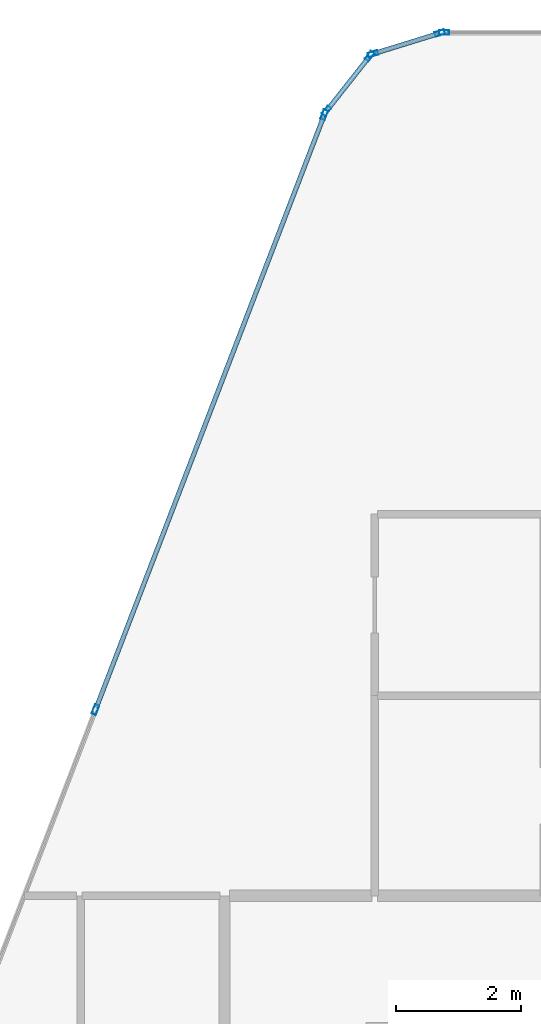
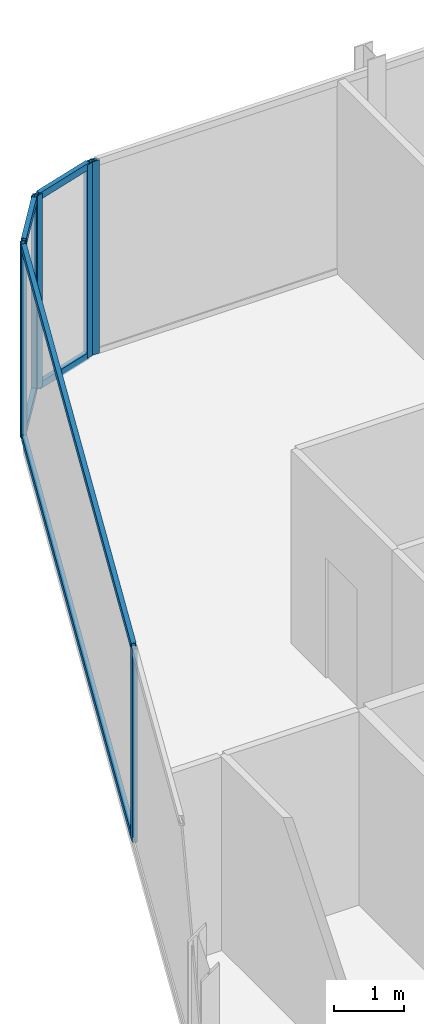
# One storey, part 17 of 31: 13 members, 4 elements without a shape of their own.
"""IFC4 building model written with IfcOpenShell, lengths in metres."""

import ifcopenshell
import ifcopenshell.guid

model = None  # the IFC model being written
_history = None  # IfcOwnerHistory: only IFC2X3 demands one
_inside = {}  # id of a spatial element -> (the spatial element, [elements in it])
_under = {}  # id of a project, library or spatial element -> (it, [spatial elements below it])
_declared = {}  # id of a project -> (the project, [libraries it declares])
_typed = {}  # id of a type object -> (the type object, [elements of that type])
_made_of = {}  # id of a material, layer set ... -> (it, [elements and type objects made of it])


def new_model(schema):
    """Start an empty IFC model of exactly this schema.

    Asked for "IFC4X3", IfcOpenShell would pick the latest addendum, in which some entities
    have other attributes; the version numbers below select the first issue.
    IFC2X3 requires an IfcOwnerHistory on every rooted entity: one is made here for all.
    """
    global model, _history
    if schema == "IFC4X3":
        model = ifcopenshell.file(schema_version=(4, 3, 0, 0))
    else:
        model = ifcopenshell.file(schema=schema)
    _inside.clear()
    _under.clear()
    _declared.clear()
    _typed.clear()
    _made_of.clear()
    _history = None
    if model.schema == "IFC2X3":
        org = make("IfcOrganization", Name="unknown")
        user = make(
            "IfcPersonAndOrganization",
            ThePerson=make("IfcPerson", FamilyName="unknown"),
            TheOrganization=org,
        )
        app = make(
            "IfcApplication",
            ApplicationDeveloper=org,
            Version="unknown",
            ApplicationFullName="unknown",
            ApplicationIdentifier="unknown",
        )
        _history = make(
            "IfcOwnerHistory",
            OwningUser=user,
            OwningApplication=app,
            ChangeAction="ADDED",
            CreationDate=0,
        )
    return model


def make(cls, **values):
    """One entity of the class cls with the attributes given. An attribute that is None is left unset."""
    return model.create_entity(
        cls, **{name: value for name, value in values.items() if value is not None}
    )


def rooted(cls, **values):
    """An entity with a GlobalId (a new one), such as an element, a storey or a relation."""
    return make(cls, GlobalId=ifcopenshell.guid.new(), OwnerHistory=_history, **values)


def si_unit(unit_type, name, prefix=None):
    """IfcSIUnit, for example si_unit("LENGTHUNIT", "METRE", prefix="MILLI")."""
    return make("IfcSIUnit", UnitType=unit_type, Prefix=prefix, Name=name)


def assignment(units):
    """IfcUnitAssignment: the units of a project."""
    return None if units is None else make("IfcUnitAssignment", Units=units)


def point(xyz):
    """IfcCartesianPoint."""
    return None if xyz is None else make("IfcCartesianPoint", Coordinates=xyz)


def direction(xyz):
    """IfcDirection."""
    return None if xyz is None else make("IfcDirection", DirectionRatios=xyz)


def frame(location, z_axis=None, x_axis=None):
    """IfcAxis2Placement3D, a coordinate frame: its origin and axes. An axis left out is left unset."""
    return make(
        "IfcAxis2Placement3D",
        Location=point(location),
        Axis=direction(z_axis),
        RefDirection=direction(x_axis),
    )


def frame_2d(location, x_axis=None):
    """IfcAxis2Placement2D, a coordinate frame in the plane: its origin and x axis."""
    return make(
        "IfcAxis2Placement2D", Location=point(location), RefDirection=direction(x_axis)
    )


def origin():
    """The frame at (0, 0, 0) with its axes left unset."""
    return frame((0.0, 0.0, 0.0))


def origin_2d():
    """The frame at (0, 0) in the plane with its x axis left unset."""
    return frame_2d((0.0, 0.0))


def place(relative_to, where):
    """IfcLocalPlacement: puts the frame where relative to a parent placement (None: the world)."""
    return make(
        "IfcLocalPlacement", PlacementRelTo=relative_to, RelativePlacement=where
    )


def context(
    kind, dimensions, precision=None, world=None, true_north=None, identifier=None
):
    """IfcGeometricRepresentationContext, for example the 3D "Model" context."""
    return make(
        "IfcGeometricRepresentationContext",
        ContextIdentifier=identifier,
        ContextType=kind,
        CoordinateSpaceDimension=dimensions,
        Precision=precision,
        WorldCoordinateSystem=world,
        TrueNorth=true_north,
    )


def subcontext(parent, identifier, kind, view, scale=None):
    """IfcGeometricRepresentationSubContext, for example "Body" below "Model"."""
    return make(
        "IfcGeometricRepresentationSubContext",
        ContextIdentifier=identifier,
        ContextType=kind,
        ParentContext=parent,
        TargetScale=scale,
        TargetView=view,
    )


def project(units=None, contexts=None):
    """IfcProject with its units and contexts."""
    return rooted(
        "IfcProject",
        Name="project",
        RepresentationContexts=contexts,
        UnitsInContext=assignment(units),
    )


def spatial(cls, under=None, at=None, **own):
    """A site, building, storey or space (cls), placed at a placement, below another one or the project."""
    s = rooted(cls, ObjectPlacement=at, **own)
    if under is not None:
        _under.setdefault(under.id(), (under, []))[1].append(s)
    return s


def profile(cls, at=None, kind="AREA", **sizes):
    """A parametric profile (cls). Its sizes go by their IFC names, for example OverallWidth=200.0."""
    return make(cls, ProfileType=kind, Position=at, **sizes)


def hollow_rectangle(**sizes):
    """IfcRectangleHollowProfileDef."""
    return profile("IfcRectangleHollowProfileDef", **sizes)


def extrude(swept, where, along, depth):
    """IfcExtrudedAreaSolid: the profile swept, set in the frame where, extruded along a direction by depth."""
    return make(
        "IfcExtrudedAreaSolid",
        SweptArea=swept,
        Position=where,
        ExtrudedDirection=direction(along),
        Depth=depth,
    )


def shape(context_of_items, identifier, shape_type, items):
    """IfcShapeRepresentation: the items that make up one representation, for example the "Body"."""
    return make(
        "IfcShapeRepresentation",
        ContextOfItems=context_of_items,
        RepresentationIdentifier=identifier,
        RepresentationType=shape_type,
        Items=items,
    )


def material(Name=None, Category=None):
    """IfcMaterial."""
    return make("IfcMaterial", Name=Name, Category=Category)


def layer(
    of_material, thickness, ventilated=None, Name=None, Category=None, Priority=None
):
    """IfcMaterialLayer: one layer of a wall or slab, of a material (None: an air gap)."""
    return make(
        "IfcMaterialLayer",
        Material=of_material,
        LayerThickness=thickness,
        IsVentilated=ventilated,
        Name=Name,
        Category=Category,
        Priority=Priority,
    )


def layer_set(layers, Name=None):
    """IfcMaterialLayerSet."""
    return make("IfcMaterialLayerSet", MaterialLayers=layers, LayerSetName=Name)


def material_profile(
    of_material, cross_section, Name=None, Category=None, Priority=None
):
    """IfcMaterialProfile: a cross section and its material."""
    return make(
        "IfcMaterialProfile",
        Name=Name,
        Material=of_material,
        Profile=cross_section,
        Priority=Priority,
        Category=Category,
    )


def profile_set(profiles, Name=None, composite=None):
    """IfcMaterialProfileSet."""
    return make(
        "IfcMaterialProfileSet",
        Name=Name,
        MaterialProfiles=profiles,
        CompositeProfile=composite,
    )


def made_of(thing, what):
    """Note that an element or type object is made of a material, layer set ...; save() writes the relation."""
    if what is not None:
        _made_of.setdefault(what.id(), (what, []))[1].append(thing)
    return thing


def type_object(cls, material=None, **own):
    """A type object (cls), such as IfcWallType, which elements share."""
    return made_of(rooted(cls, **own), material)


def element(
    cls,
    number,
    at=None,
    inside=None,
    cuts=None,
    type_object=None,
    material=None,
    context=None,
    identifier="Body",
    shape_type=None,
    held_by="IfcProductDefinitionShape",
    body=None,
    shapes=None,
    **own,
):
    """One element of the class cls, such as IfcWall. Its Tag is "e" and its number.

    at: its placement. inside: the storey or other place that contains it. cuts: it is an
    opening in that element (IfcRelVoidsElement). A single representation is given by context,
    identifier, shape_type and body (its items); several are given by shapes. held_by: the class
    of the entity that holds the representations. save() writes the other relations.
    """
    e = rooted(cls, Tag="e%d" % number, ObjectPlacement=at, **own)
    if body is not None:
        shapes = [shape(context, identifier, shape_type, body)]
    if shapes is not None:
        e.Representation = make(held_by, Representations=shapes)
    if inside is not None:
        _inside.setdefault(inside.id(), (inside, []))[1].append(e)
    if cuts is not None:
        rooted(
            "IfcRelVoidsElement", RelatingBuildingElement=cuts, RelatedOpeningElement=e
        )
    if type_object is not None:
        _typed.setdefault(type_object.id(), (type_object, []))[1].append(e)
    return made_of(e, material)


def aggregate(whole, parts):
    """IfcRelAggregates: a whole, such as a stair, and the parts it consists of."""
    return rooted("IfcRelAggregates", RelatingObject=whole, RelatedObjects=parts)


def save(model, path):
    """Write the relations noted so far, then the file.

    IfcRelAggregates (storeys below a building ...), IfcRelContainedInSpatialStructure (elements
    in a storey), IfcRelDefinesByType, IfcRelAssociatesMaterial and IfcRelDeclares: one each for
    every whole, place, type object, material and project.
    """
    for whole, parts in _under.values():
        aggregate(whole, parts)
    for where, things in _inside.values():
        rooted(
            "IfcRelContainedInSpatialStructure",
            RelatedElements=things,
            RelatingStructure=where,
        )
    for kind, things in _typed.values():
        rooted("IfcRelDefinesByType", RelatedObjects=things, RelatingType=kind)
    for what, things in _made_of.values():
        rooted("IfcRelAssociatesMaterial", RelatedObjects=things, RelatingMaterial=what)
    for by, libraries in _declared.values():
        rooted("IfcRelDeclares", RelatingContext=by, RelatedDefinitions=libraries)
    model.write(path)


model = new_model("IFC4")

# Units and contexts
model_context = context("Model", 3, precision=1e-05, world=origin(), true_north=direction((0.0, 1.0)))
body_context = subcontext(model_context, "Body", "Model", "MODEL_VIEW")
ifc_project = project(units=[si_unit("LENGTHUNIT", "METRE"), si_unit("AREAUNIT", "SQUARE_METRE"), si_unit("VOLUMEUNIT", "CUBIC_METRE"), si_unit("PLANEANGLEUNIT", "RADIAN"), si_unit("MASSUNIT", "GRAM", prefix="KILO")], contexts=[model_context])

# Site, building, storey
site_placement = place(None, origin())
site = spatial("IfcSite", under=ifc_project, at=site_placement, CompositionType="ELEMENT")
building_placement = place(site_placement, origin())
building = spatial("IfcBuilding", under=site, at=building_placement, Name="Keshet Zoharim Tower", CompositionType="ELEMENT")
storey_placement = place(building_placement, frame((0.0, 0.0, 276.89990234375)))
storey = spatial("IfcBuildingStorey", under=building, at=storey_placement, Name="L69", CompositionType="ELEMENT", Elevation=276.89990234375)

# Curtain wall, members
ifc_material = material(Name="Aluminium 6063-T6", Category="aluminium")
ifc_layer = layer(ifc_material, 0.260009765625)
ifc_layer_set = layer_set([ifc_layer], Name="Aluminium 6063-T6")
curtain_wall_type = type_object("IfcCurtainWallType", Name="CW-SYS-06", PredefinedType="NOTDEFINED", material=ifc_layer_set)
curtain_wall_1_placement = place(storey_placement, origin())
curtain_wall_1 = element("IfcCurtainWall", 1, at=curtain_wall_1_placement, inside=storey, type_object=curtain_wall_type, Name="L69 Unitised Curtain Wall 03", PredefinedType="NOTDEFINED")
ifc_material_profile_1 = material_profile(ifc_material, hollow_rectangle(XDim=0.074951171875, YDim=0.159912109375, WallThickness=0.00390625, at=origin_2d()), Name="MUL-75x160")
ifc_profile_set_1 = profile_set([ifc_material_profile_1], Name="Aluminium 6063-T6")
member_type_1 = type_object("IfcMemberType", Name="CWM-M15", PredefinedType="MULLION", material=ifc_profile_set_1)
member_1_placement = place(storey_placement, frame((10.8369140625, 43.076416015625, 0.0), z_axis=(0.0, 0.0, 1.0), x_axis=(-0.933341404361, 0.358990003907, 0.0)))
member_1 = element("IfcMember", 2, at=member_1_placement, type_object=member_type_1, Name="CW-06 mullion 3", PredefinedType="MULLION", context=body_context, shape_type="SweptSolid", body=[
    extrude(hollow_rectangle(XDim=0.074951171875, YDim=0.159912109375, WallThickness=0.00390625, at=origin_2d()), origin(), (0.0, 0.0, 1.0), 3.39013671875),
])
member_2_placement = place(storey_placement, frame((14.494384765625, 52.58544921875, 0.0), z_axis=(0.0, 0.0, 1.0), x_axis=(-0.933341404361, 0.358990003907, 0.0)))
member_2 = element("IfcMember", 3, at=member_2_placement, type_object=member_type_1, Name="CW-06 mullion 4", PredefinedType="MULLION", context=body_context, shape_type="SweptSolid", body=[
    extrude(hollow_rectangle(XDim=0.074951171875, YDim=0.159912109375, WallThickness=0.00390625, at=origin_2d()), origin(), (0.0, 0.0, 1.0), 3.39013671875),
])

curtain_wall_2_placement = place(storey_placement, origin())
curtain_wall_2 = element("IfcCurtainWall", 4, at=curtain_wall_2_placement, inside=storey, type_object=curtain_wall_type, Name="L69 Unitised Curtain Wall 04", PredefinedType="NOTDEFINED")
member_3_placement = place(storey_placement, frame((14.528564453125, 52.6455078125, 0.0), z_axis=(0.0, 0.0, 1.0), x_axis=(-0.785292825205, 0.619124525989, 0.0)))
member_3 = element("IfcMember", 5, at=member_3_placement, type_object=member_type_1, Name="CW-06 mullion 1", PredefinedType="MULLION", context=body_context, shape_type="SweptSolid", body=[
    extrude(hollow_rectangle(XDim=0.074951171875, YDim=0.159912109375, WallThickness=0.00390625, at=origin_2d()), origin(), (0.0, 0.0, 1.0), 3.39013671875),
])
member_4_placement = place(storey_placement, frame((15.21923828125, 53.521484375, 0.0), z_axis=(0.0, 0.0, 1.0), x_axis=(-0.785292825205, 0.619124525989, 0.0)))
member_4 = element("IfcMember", 6, at=member_4_placement, type_object=member_type_1, Name="CW-06 mullion 2", PredefinedType="MULLION", context=body_context, shape_type="SweptSolid", body=[
    extrude(hollow_rectangle(XDim=0.074951171875, YDim=0.159912109375, WallThickness=0.00390625, at=origin_2d()), origin(), (0.0, 0.0, 1.0), 3.39013671875),
])

curtain_wall_3_placement = place(storey_placement, origin())
curtain_wall_3 = element("IfcCurtainWall", 7, at=curtain_wall_3_placement, inside=storey, type_object=curtain_wall_type, Name="L69 Unitised Curtain Wall 05", PredefinedType="NOTDEFINED")
member_5_placement = place(storey_placement, frame((15.2744140625, 53.559326171875, 0.0), z_axis=(0.0, 0.0, 1.0), x_axis=(-0.295921857984, 0.955212151288, 0.0)))
member_5 = element("IfcMember", 8, at=member_5_placement, type_object=member_type_1, Name="CW-06 mullion 1", PredefinedType="MULLION", context=body_context, shape_type="SweptSolid", body=[
    extrude(hollow_rectangle(XDim=0.074951171875, YDim=0.159912109375, WallThickness=0.00390625, at=origin_2d()), origin(), (0.0, 0.0, 1.0), 3.39013671875),
])
member_6_placement = place(storey_placement, frame((16.340576171875, 53.8896484375, 0.0), z_axis=(0.0, 0.0, 1.0), x_axis=(-0.295921857984, 0.955212151288, 0.0)))
member_6 = element("IfcMember", 9, at=member_6_placement, type_object=member_type_1, Name="CW-06 mullion 2", PredefinedType="MULLION", context=body_context, shape_type="SweptSolid", body=[
    extrude(hollow_rectangle(XDim=0.074951171875, YDim=0.159912109375, WallThickness=0.00390625, at=origin_2d()), origin(), (0.0, 0.0, 1.0), 3.39013671875),
])

# Curtain wall, member
curtain_wall_4_placement = place(storey_placement, origin())
curtain_wall_4 = element("IfcCurtainWall", 10, at=curtain_wall_4_placement, inside=storey, type_object=curtain_wall_type, Name="L69 Unitised Curtain Wall 06", PredefinedType="NOTDEFINED")
member_7_placement = place(storey_placement, frame((16.408935546875, 53.89990234375, 0.0), z_axis=(0.0, 0.0, 1.0), x_axis=(0.0, 1.0, 0.0)))
member_7 = element("IfcMember", 11, at=member_7_placement, type_object=member_type_1, Name="CW-06 mullion 1", PredefinedType="MULLION", context=body_context, shape_type="SweptSolid", body=[
    extrude(hollow_rectangle(XDim=0.074951171875, YDim=0.159912109375, WallThickness=0.00390625, at=origin_2d()), origin(), (0.0, 0.0, 1.0), 3.39013671875),
])
aggregate(curtain_wall_4, [member_7])

# Member
ifc_material_profile_2 = material_profile(ifc_material, hollow_rectangle(XDim=0.074951171875, YDim=0.1201171875, WallThickness=0.00390625, at=origin_2d()), Name="TRN-75x120")
ifc_profile_set_2 = profile_set([ifc_material_profile_2], Name="Aluminium 6063-T6")
member_type_2 = type_object("IfcMemberType", Name="CWT-T12", PredefinedType="USERDEFINED", material=ifc_profile_set_2)
member_8_placement = place(storey_placement, frame((10.849609375, 43.10888671875, 0.03515625), z_axis=(0.358985546764, 0.933343118694, 0.0), x_axis=(-0.933343118694, 0.358985546764, 0.0)))
member_8 = element("IfcMember", 12, at=member_8_placement, type_object=member_type_2, Name="CW-06 transom 3.1", ObjectType="TRANSOM", PredefinedType="USERDEFINED", context=body_context, shape_type="SweptSolid", body=[
    extrude(hollow_rectangle(XDim=0.074951171875, YDim=0.1201171875, WallThickness=0.00390625, at=origin_2d()), origin(), (0.0, 0.0, 1.0), 10.118408203125),
])

member_9_placement = place(storey_placement, frame((10.849609375, 43.10888671875, 3.35498046875), z_axis=(0.358985546764, 0.933343118694, 0.0), x_axis=(-0.933343118694, 0.358985546764, 0.0)))
member_9 = element("IfcMember", 13, at=member_9_placement, type_object=member_type_2, Name="CW-06 transom 3.2", ObjectType="TRANSOM", PredefinedType="USERDEFINED", context=body_context, shape_type="SweptSolid", body=[
    extrude(hollow_rectangle(XDim=0.074951171875, YDim=0.1201171875, WallThickness=0.00390625, at=origin_2d()), origin(), (0.0, 0.0, 1.0), 10.118408203125),
])

aggregate(curtain_wall_1, [member_1, member_2, member_8, member_9])

member_10_placement = place(storey_placement, frame((14.55029296875, 52.6728515625, 0.03515625), z_axis=(0.619099165969, 0.78531281837, 0.0), x_axis=(-0.78531281837, 0.619099165969, 0.0)))
member_10 = element("IfcMember", 14, at=member_10_placement, type_object=member_type_2, Name="CW-06 transom 1.1", ObjectType="TRANSOM", PredefinedType="USERDEFINED", context=body_context, shape_type="SweptSolid", body=[
    extrude(hollow_rectangle(XDim=0.074951171875, YDim=0.1201171875, WallThickness=0.00390625, at=origin_2d()), origin(), (0.0, 0.0, 1.0), 1.0458984375),
])

member_11_placement = place(storey_placement, frame((14.55029296875, 52.6728515625, 3.35498046875), z_axis=(0.619099165969, 0.78531281837, 0.0), x_axis=(-0.78531281837, 0.619099165969, 0.0)))
member_11 = element("IfcMember", 15, at=member_11_placement, type_object=member_type_2, Name="CW-06 transom 1.2", ObjectType="TRANSOM", PredefinedType="USERDEFINED", context=body_context, shape_type="SweptSolid", body=[
    extrude(hollow_rectangle(XDim=0.074951171875, YDim=0.1201171875, WallThickness=0.00390625, at=origin_2d()), origin(), (0.0, 0.0, 1.0), 1.0458984375),
])

aggregate(curtain_wall_2, [member_3, member_4, member_10, member_11])

member_12_placement = place(storey_placement, frame((15.307861328125, 53.56982421875, 0.03515625), z_axis=(0.955212093062, 0.295922045933, 0.0), x_axis=(-0.295922045933, 0.955212093062, 0.0)))
member_12 = element("IfcMember", 16, at=member_12_placement, type_object=member_type_2, Name="CW-06 transom 1.1", ObjectType="TRANSOM", PredefinedType="USERDEFINED", context=body_context, shape_type="SweptSolid", body=[
    extrude(hollow_rectangle(XDim=0.074951171875, YDim=0.1201171875, WallThickness=0.00390625, at=origin_2d()), origin(), (0.0, 0.0, 1.0), 1.046142578125),
])

member_13_placement = place(storey_placement, frame((15.307861328125, 53.56982421875, 3.35498046875), z_axis=(0.955212093062, 0.295922045933, 0.0), x_axis=(-0.295922045933, 0.955212093062, 0.0)))
member_13 = element("IfcMember", 17, at=member_13_placement, type_object=member_type_2, Name="CW-06 transom 1.2", ObjectType="TRANSOM", PredefinedType="USERDEFINED", context=body_context, shape_type="SweptSolid", body=[
    extrude(hollow_rectangle(XDim=0.074951171875, YDim=0.1201171875, WallThickness=0.00390625, at=origin_2d()), origin(), (0.0, 0.0, 1.0), 1.046142578125),
])

aggregate(curtain_wall_3, [member_5, member_6, member_12, member_13])

save(model, "model.ifc")
